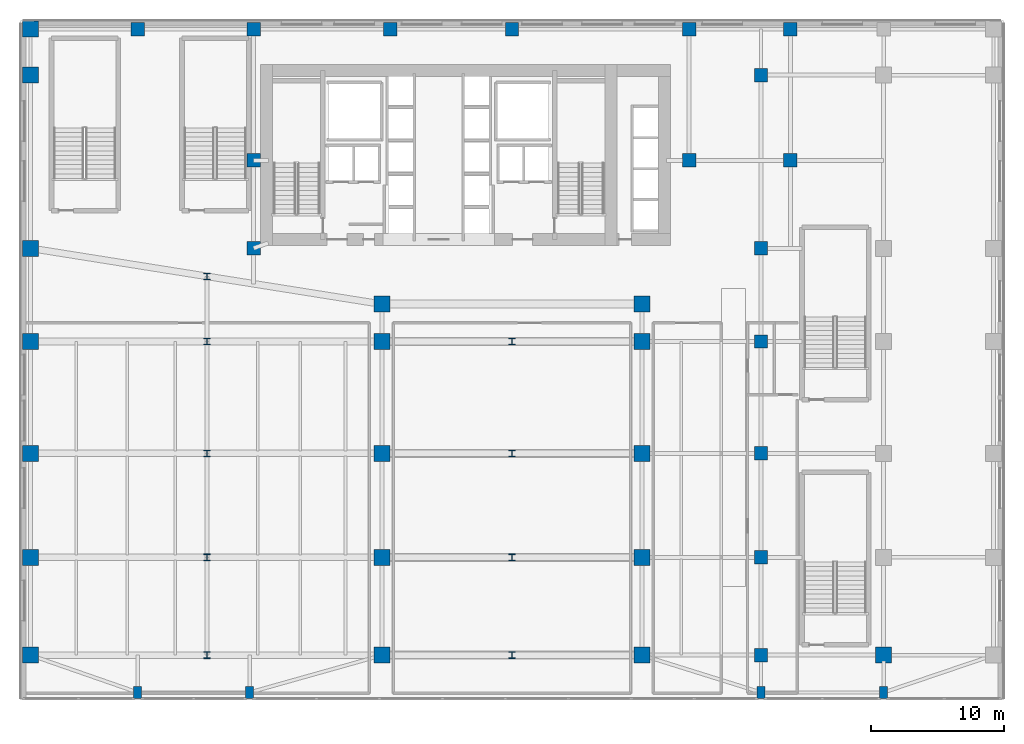
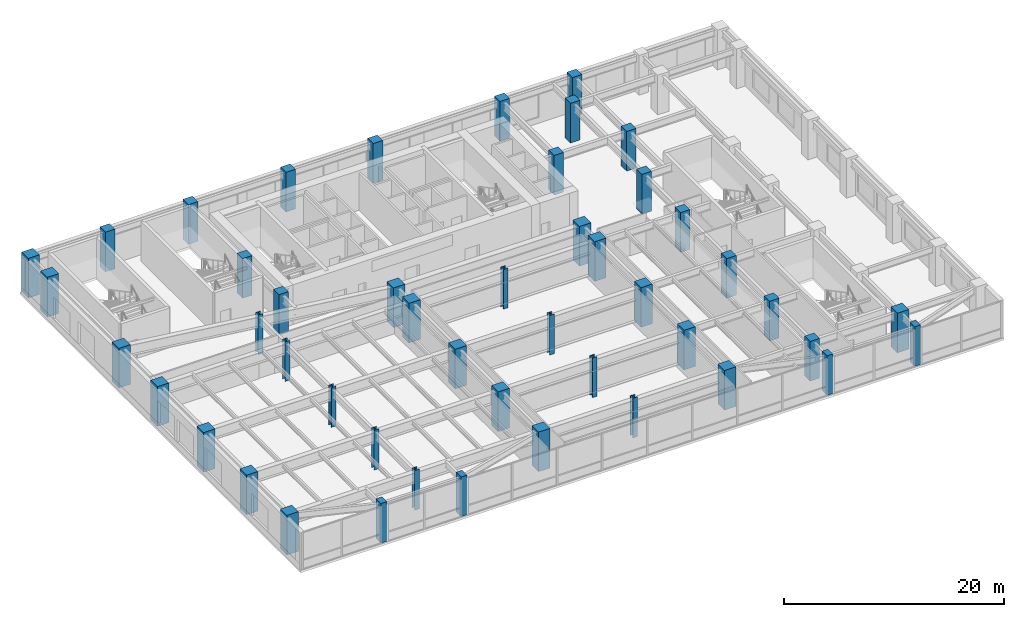
# One storey, part 1 of 27: 47 columns.
"""IFC4 building model written with IfcOpenShell, lengths in metres."""

from ifc_helpers import new_model, si_unit, direction, frame, origin, origin_2d, place, context, subcontext, project, spatial, rectangle, i_section, extrude, source, transform, mapped, material, material_profile, profile_set, type_object, type_shapes, element, save


model = new_model("IFC4")

# Units and contexts
model_context = context("Model", 3, precision=1e-05, world=origin(), true_north=direction((0.0, 1.0)))
body_context = subcontext(model_context, "Body", "Model", "MODEL_VIEW")
ifc_project = project(units=[si_unit("LENGTHUNIT", "METRE"), si_unit("AREAUNIT", "SQUARE_METRE"), si_unit("VOLUMEUNIT", "CUBIC_METRE"), si_unit("PLANEANGLEUNIT", "RADIAN"), si_unit("MASSUNIT", "GRAM", prefix="KILO")], contexts=[model_context])

# Site, building, storey
site_placement = place(None, origin())
site = spatial("IfcSite", under=ifc_project, at=site_placement, CompositionType="ELEMENT")
building_placement = place(site_placement, origin())
building = spatial("IfcBuilding", under=site, at=building_placement, Name="Tolvann Quenvar Hotel", CompositionType="ELEMENT")
storey_placement = place(building_placement, frame((0.0, 0.0, 22.39990234375)))
storey = spatial("IfcBuildingStorey", under=building, at=storey_placement, Name="L04", CompositionType="ELEMENT", Elevation=22.39990234375)

# Columns
ifc_material_1 = material(Name="Concrete S80 (80 MPa)", Category="concrete")
ifc_material_profile_1 = material_profile(ifc_material_1, rectangle(XDim=1.199951171875, YDim=1.199951171875, at=origin_2d()), Name="RC1200x1200")
ifc_profile_set_1 = profile_set([ifc_material_profile_1], Name="Concrete S80 (80 MPa)")
column_type_1 = type_object("IfcColumnType", Name="COL_RC1200", PredefinedType="COLUMN", material=ifc_profile_set_1)
shared_shape_1 = source(origin(), body_context, "Body", "SweptSolid", [
    extrude(rectangle(XDim=1.199951171875, YDim=1.199951171875, at=origin_2d()), origin(), (0.0, 0.0, 1.0), 4.400146484375),
])
type_shapes(column_type_1, [shared_shape_1])
for number, where, z_axis, x_axis, name in (
    (1, (-7.64990234375, 0.85009765625, 0.0), (0.0, 0.0, 1.0), (1.0, 0.0, 0.0), "Column PA1 (L04)"),
    (2, (-7.64990234375, 8.199951171875, 0.0), (0.0, 0.0, 1.0), (1.0, 0.0, 0.0), "Column PA2 (L04)"),
    (3, (-7.64990234375, 16.0, 0.0), (0.0, 0.0, 1.0), (1.0, 0.0, 0.0), "Column PA3 (L04)"),
    (4, (-7.64990234375, 24.39990234375, 0.0), (0.0, 0.0, 1.0), (1.0, 0.0, 0.0), "Column PA4 (L04)"),
    (5, (-7.64990234375, 31.39990234375, 0.0), (0.0, 0.0, 1.0), (1.0, 0.0, 0.0), "Column PA5 (L04)"),
    (6, (-7.64990234375, 44.39990234375, 0.0), (0.0, 0.0, 1.0), (1.0, 0.0, 0.0), "Column PA6 (L04)"),
    (7, (-7.64990234375, 47.85009765625, 0.0), (0.0, 0.0, 1.0), (1.0, 0.0, 0.0), "Column PAN (L04)"),
    (8, (18.75, 0.85009765625, 0.0), (0.0, 0.0, 1.0), (1.0, 0.0, 0.0), "Column PAPW1 (L04)"),
    (9, (38.25, 0.85009765625, 0.0), (0.0, 0.0, 1.0), (1.0, 0.0, 0.0), "Column PAPE1 (L04)"),
    (10, (18.75, 8.199951171875, 0.0), (0.0, 0.0, 1.0), (1.0, 0.0, 0.0), "Column PAPW2 (L04)"),
    (11, (38.25, 8.199951171875, 0.0), (0.0, 0.0, 1.0), (1.0, 0.0, 0.0), "Column PAPE2 (L04)"),
    (12, (18.75, 16.0, 0.0), (0.0, 0.0, 1.0), (1.0, 0.0, 0.0), "Column PAPW3 (L04)"),
    (13, (38.25, 16.0, 0.0), (0.0, 0.0, 1.0), (1.0, 0.0, 0.0), "Column PAPE3 (L04)"),
    (14, (18.75, 24.39990234375, 0.0), (0.0, 0.0, 1.0), (1.0, 0.0, 0.0), "Column PAPW4 (L04)"),
    (15, (38.25, 24.39990234375, 0.0), (0.0, 0.0, 1.0), (1.0, 0.0, 0.0), "Column PAPE4 (L04)"),
    (16, (18.75, 27.199951171875, 0.0), (0.0, 0.0, 1.0), (1.0, 0.0, 0.0), "Column PAPW5 (L04)"),
    (17, (38.25, 27.199951171875, 0.0), (0.0, 0.0, 1.0), (1.0, 0.0, 0.0), "Column PAPE5 (L04)"),
    (18, (56.39990234375, 0.85009765625, 0.0), (0.0, 0.0, 1.0), (1.0, 0.0, 0.0), "Column PJ1 (L04)"),
):
    element("IfcColumn", number, at=place(storey_placement, frame(where, z_axis=z_axis, x_axis=x_axis)), inside=storey, type_object=column_type_1, Name=name, PredefinedType="COLUMN", context=body_context, shape_type="MappedRepresentation", body=[
        mapped(shared_shape_1, transform((0.0, 0.0, 0.0), x_axis=(1.0, 0.0, 0.0), y_axis=(0.0, 1.0, 0.0), z_axis=(0.0, 0.0, 1.0), scale=1.0)),
    ])
ifc_material_2 = material(Name="Concrete S65 (65 MPa)", Category="concrete")
ifc_material_profile_2 = material_profile(ifc_material_2, rectangle(XDim=1.0, YDim=1.0, at=origin_2d()), Name="RC1000x1000")
ifc_profile_set_2 = profile_set([ifc_material_profile_2], Name="Concrete S65 (65 MPa)")
column_type_2 = type_object("IfcColumnType", Name="COL_RC1000", PredefinedType="COLUMN", material=ifc_profile_set_2)
shared_shape_2 = source(origin(), body_context, "Body", "SweptSolid", [
    extrude(rectangle(XDim=1.0, YDim=1.0, at=origin_2d()), origin(), (0.0, 0.0, 1.0), 4.400146484375),
])
type_shapes(column_type_2, [shared_shape_2])
for number, where, z_axis, x_axis, name in (
    (19, (47.199951171875, 0.85009765625, 0.0), (0.0, 0.0, 1.0), (1.0, 0.0, 0.0), "Column PH1 (L04)"),
    (20, (47.199951171875, 8.199951171875, 0.0), (0.0, 0.0, 1.0), (1.0, 0.0, 0.0), "Column PH2 (L04)"),
    (21, (47.199951171875, 16.0, 0.0), (0.0, 0.0, 1.0), (1.0, 0.0, 0.0), "Column PH3 (L04)"),
    (22, (47.199951171875, 24.39990234375, 0.0), (0.0, 0.0, 1.0), (1.0, 0.0, 0.0), "Column PH4 (L04)"),
    (23, (47.199951171875, 31.39990234375, 0.0), (0.0, 0.0, 1.0), (1.0, 0.0, 0.0), "Column PH5 (L04)"),
    (24, (47.199951171875, 44.39990234375, 0.0), (0.0, 0.0, 1.0), (1.0, 0.0, 0.0), "Column PH6 (L04)"),
    (25, (0.39990234375, 47.85009765625, 0.0), (0.0, 0.0, 1.0), (1.0, 0.0, 0.0), "Column PN1 (L04)"),
    (26, (9.10009765625, 47.85009765625, 0.0), (0.0, 0.0, 1.0), (1.0, 0.0, 0.0), "Column PN2 (L04)"),
    (27, (19.35009765625, 47.85009765625, 0.0), (0.0, 0.0, 1.0), (1.0, 0.0, 0.0), "Column PN3 (L04)"),
    (28, (28.5, 47.85009765625, 0.0), (0.0, 0.0, 1.0), (1.0, 0.0, 0.0), "Column PN4 (L04)"),
    (29, (41.800048828125, 47.85009765625, 0.0), (0.0, 0.0, 1.0), (1.0, 0.0, 0.0), "Column PN5 (L04)"),
    (30, (49.39990234375, 47.85009765625, 0.0), (0.0, 0.0, 1.0), (1.0, 0.0, 0.0), "Column PN6 (L04)"),
    (31, (9.10009765625, 38.0, 0.0), (0.0, 0.0, 1.0), (1.0, 0.0, 0.0), "Column PCN (L04)"),
    (32, (41.800048828125, 38.0, 0.0), (0.0, 0.0, 1.0), (1.0, 0.0, 0.0), "Column PHN (L04)"),
    (33, (49.39990234375, 38.0, 0.0), (0.0, 0.0, 1.0), (1.0, 0.0, 0.0), "Column PIN (L04)"),
    (34, (9.10009765625, 31.39990234375, 0.0), (0.0, 0.0, 1.0), (1.0, 0.0, 0.0), "Column PCNS (L04)"),
):
    element("IfcColumn", number, at=place(storey_placement, frame(where, z_axis=z_axis, x_axis=x_axis)), inside=storey, type_object=column_type_2, Name=name, PredefinedType="COLUMN", context=body_context, shape_type="MappedRepresentation", body=[
        mapped(shared_shape_2, transform((0.0, 0.0, 0.0), x_axis=(1.0, 0.0, 0.0), y_axis=(0.0, 1.0, 0.0), z_axis=(0.0, 0.0, 1.0), scale=1.0)),
    ])
ifc_material_3 = material(Name="Steel Grade 350", Category="steel")
ifc_material_profile_3 = material_profile(ifc_material_3, i_section(OverallWidth=0.5, OverallDepth=0.5, WebThickness=0.028076171875, FlangeThickness=0.044921875, at=origin_2d()), Name="500WC440")
ifc_profile_set_3 = profile_set([ifc_material_profile_3], Name="Steel Grade 350")
column_type_3 = type_object("IfcColumnType", Name="COL_500WC440", PredefinedType="COLUMN", material=ifc_profile_set_3)
shared_shape_3 = source(origin(), body_context, "Body", "SweptSolid", [
    extrude(i_section(OverallWidth=0.5, OverallDepth=0.5, WebThickness=0.028076171875, FlangeThickness=0.044921875, at=origin_2d()), origin(), (0.0, 0.0, 1.0), 4.400146484375),
])
type_shapes(column_type_3, [shared_shape_3])
for number, where, z_axis, x_axis, name in (
    (35, (5.60009765625, 0.85009765625, 0.0), (0.0, 0.0, 1.0), (1.0, 0.0, 0.0), "Column PBAL1 (L04)"),
    (36, (5.60009765625, 8.199951171875, 0.0), (0.0, 0.0, 1.0), (1.0, 0.0, 0.0), "Column PBAL2 (L04)"),
    (37, (5.60009765625, 16.0, 0.0), (0.0, 0.0, 1.0), (1.0, 0.0, 0.0), "Column PBAL3 (L04)"),
    (38, (5.60009765625, 24.39990234375, 0.0), (0.0, 0.0, 1.0), (1.0, 0.0, 0.0), "Column PBAL4 (L04)"),
    (39, (5.60009765625, 29.2919921875, 0.0), (0.0, 0.0, 1.0), (1.0, 0.0, 0.0), "Column PBAL5 (L04)"),
    (40, (28.5, 0.85009765625, 0.0), (0.0, 0.0, 1.0), (1.0, 0.0, 0.0), "Column PARCHS (L04)"),
    (41, (28.5, 8.199951171875, 0.0), (0.0, 0.0, 1.0), (1.0, 0.0, 0.0), "Column PARCH2 (L04)"),
    (42, (28.5, 16.0, 0.0), (0.0, 0.0, 1.0), (1.0, 0.0, 0.0), "Column PARCH3 (L04)"),
    (43, (28.5, 24.39990234375, 0.0), (0.0, 0.0, 1.0), (1.0, 0.0, 0.0), "Column PARCHM (L04)"),
):
    element("IfcColumn", number, at=place(storey_placement, frame(where, z_axis=z_axis, x_axis=x_axis)), inside=storey, type_object=column_type_3, Name=name, PredefinedType="COLUMN", context=body_context, shape_type="MappedRepresentation", body=[
        mapped(shared_shape_3, transform((0.0, 0.0, 0.0), x_axis=(1.0, 0.0, 0.0), y_axis=(0.0, 1.0, 0.0), z_axis=(0.0, 0.0, 1.0), scale=1.0)),
    ])
ifc_material_4 = material(Name="Concrete N50 (50 MPa)", Category="concrete")
ifc_material_profile_4 = material_profile(ifc_material_4, rectangle(XDim=0.60009765625, YDim=0.89990234375, at=origin_2d()), Name="RC600x900")
ifc_profile_set_4 = profile_set([ifc_material_profile_4], Name="Concrete N50 (50 MPa)")
column_type_4 = type_object("IfcColumnType", Name="COL_PILASTER_600x900", PredefinedType="PILASTER", material=ifc_profile_set_4)
shared_shape_4 = source(origin(), body_context, "Body", "SweptSolid", [
    extrude(rectangle(XDim=0.60009765625, YDim=0.89990234375, at=origin_2d()), origin(), (0.0, 0.0, 1.0), 4.400146484375),
])
type_shapes(column_type_4, [shared_shape_4])
for number, where, z_axis, x_axis, name in (
    (44, (0.39990234375, -1.949951171875, 0.0), (0.0, 0.0, 1.0), (1.0, 0.0, 0.0), "Column PIL-S1 (L04)"),
    (45, (8.800048828125, -1.949951171875, 0.0), (0.0, 0.0, 1.0), (1.0, 0.0, 0.0), "Column PIL-S2 (L04)"),
    (46, (47.199951171875, -1.949951171875, 0.0), (0.0, 0.0, 1.0), (1.0, 0.0, 0.0), "Column PIL-S3 (L04)"),
    (47, (56.39990234375, -1.949951171875, 0.0), (0.0, 0.0, 1.0), (1.0, 0.0, 0.0), "Column PIL-S4 (L04)"),
):
    element("IfcColumn", number, at=place(storey_placement, frame(where, z_axis=z_axis, x_axis=x_axis)), inside=storey, type_object=column_type_4, Name=name, PredefinedType="PILASTER", context=body_context, shape_type="MappedRepresentation", body=[
        mapped(shared_shape_4, transform((0.0, 0.0, 0.0), x_axis=(1.0, 0.0, 0.0), y_axis=(0.0, 1.0, 0.0), z_axis=(0.0, 0.0, 1.0), scale=1.0)),
    ])

save(model, "model.ifc")
